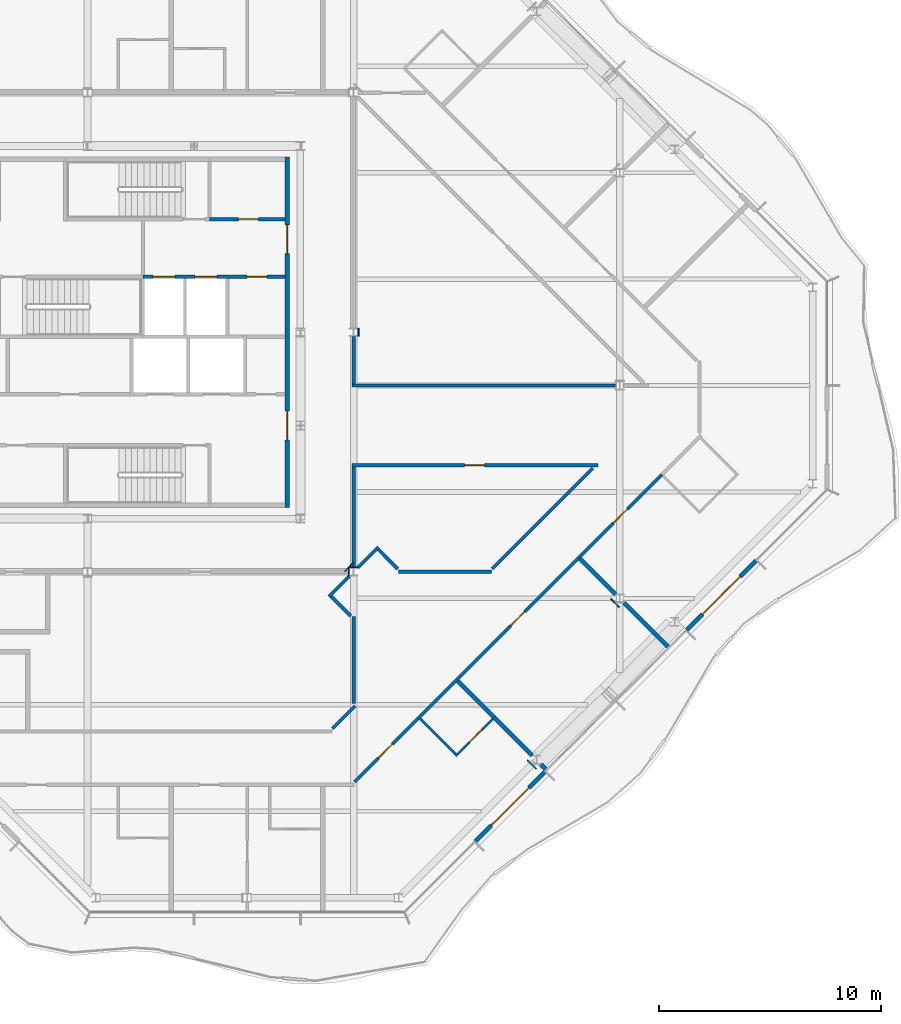
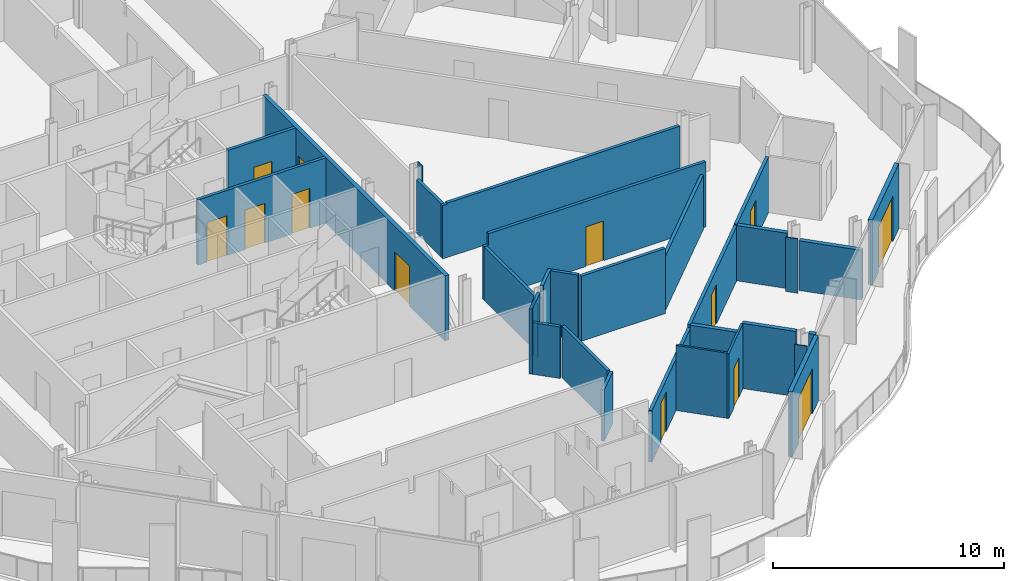
# One storey, part 9 of 17: 33 walls, 13 doors, 13 openings.
"""IFC4 building model written with IfcOpenShell, lengths in metres."""

import ifcopenshell
import ifcopenshell.guid

model = None  # the IFC model being written
_history = None  # IfcOwnerHistory: only IFC2X3 demands one
_inside = {}  # id of a spatial element -> (the spatial element, [elements in it])
_under = {}  # id of a project, library or spatial element -> (it, [spatial elements below it])
_declared = {}  # id of a project -> (the project, [libraries it declares])
_typed = {}  # id of a type object -> (the type object, [elements of that type])
_made_of = {}  # id of a material, layer set ... -> (it, [elements and type objects made of it])


def new_model(schema):
    """Start an empty IFC model of exactly this schema.

    Asked for "IFC4X3", IfcOpenShell would pick the latest addendum, in which some entities
    have other attributes; the version numbers below select the first issue.
    IFC2X3 requires an IfcOwnerHistory on every rooted entity: one is made here for all.
    """
    global model, _history
    if schema == "IFC4X3":
        model = ifcopenshell.file(schema_version=(4, 3, 0, 0))
    else:
        model = ifcopenshell.file(schema=schema)
    _inside.clear()
    _under.clear()
    _declared.clear()
    _typed.clear()
    _made_of.clear()
    _history = None
    if model.schema == "IFC2X3":
        org = make("IfcOrganization", Name="unknown")
        user = make(
            "IfcPersonAndOrganization",
            ThePerson=make("IfcPerson", FamilyName="unknown"),
            TheOrganization=org,
        )
        app = make(
            "IfcApplication",
            ApplicationDeveloper=org,
            Version="unknown",
            ApplicationFullName="unknown",
            ApplicationIdentifier="unknown",
        )
        _history = make(
            "IfcOwnerHistory",
            OwningUser=user,
            OwningApplication=app,
            ChangeAction="ADDED",
            CreationDate=0,
        )
    return model


def make(cls, **values):
    """One entity of the class cls with the attributes given. An attribute that is None is left unset."""
    return model.create_entity(
        cls, **{name: value for name, value in values.items() if value is not None}
    )


def rooted(cls, **values):
    """An entity with a GlobalId (a new one), such as an element, a storey or a relation."""
    return make(cls, GlobalId=ifcopenshell.guid.new(), OwnerHistory=_history, **values)


def si_unit(unit_type, name, prefix=None):
    """IfcSIUnit, for example si_unit("LENGTHUNIT", "METRE", prefix="MILLI")."""
    return make("IfcSIUnit", UnitType=unit_type, Prefix=prefix, Name=name)


def assignment(units):
    """IfcUnitAssignment: the units of a project."""
    return None if units is None else make("IfcUnitAssignment", Units=units)


def point(xyz):
    """IfcCartesianPoint."""
    return None if xyz is None else make("IfcCartesianPoint", Coordinates=xyz)


def direction(xyz):
    """IfcDirection."""
    return None if xyz is None else make("IfcDirection", DirectionRatios=xyz)


def frame(location, z_axis=None, x_axis=None):
    """IfcAxis2Placement3D, a coordinate frame: its origin and axes. An axis left out is left unset."""
    return make(
        "IfcAxis2Placement3D",
        Location=point(location),
        Axis=direction(z_axis),
        RefDirection=direction(x_axis),
    )


def frame_2d(location, x_axis=None):
    """IfcAxis2Placement2D, a coordinate frame in the plane: its origin and x axis."""
    return make(
        "IfcAxis2Placement2D", Location=point(location), RefDirection=direction(x_axis)
    )


def origin():
    """The frame at (0, 0, 0) with its axes left unset."""
    return frame((0.0, 0.0, 0.0))


def place(relative_to, where):
    """IfcLocalPlacement: puts the frame where relative to a parent placement (None: the world)."""
    return make(
        "IfcLocalPlacement", PlacementRelTo=relative_to, RelativePlacement=where
    )


def context(
    kind, dimensions, precision=None, world=None, true_north=None, identifier=None
):
    """IfcGeometricRepresentationContext, for example the 3D "Model" context."""
    return make(
        "IfcGeometricRepresentationContext",
        ContextIdentifier=identifier,
        ContextType=kind,
        CoordinateSpaceDimension=dimensions,
        Precision=precision,
        WorldCoordinateSystem=world,
        TrueNorth=true_north,
    )


def subcontext(parent, identifier, kind, view, scale=None):
    """IfcGeometricRepresentationSubContext, for example "Body" below "Model"."""
    return make(
        "IfcGeometricRepresentationSubContext",
        ContextIdentifier=identifier,
        ContextType=kind,
        ParentContext=parent,
        TargetScale=scale,
        TargetView=view,
    )


def project(units=None, contexts=None):
    """IfcProject with its units and contexts."""
    return rooted(
        "IfcProject",
        Name="project",
        RepresentationContexts=contexts,
        UnitsInContext=assignment(units),
    )


def spatial(cls, under=None, at=None, **own):
    """A site, building, storey or space (cls), placed at a placement, below another one or the project."""
    s = rooted(cls, ObjectPlacement=at, **own)
    if under is not None:
        _under.setdefault(under.id(), (under, []))[1].append(s)
    return s


def polyline(points):
    """IfcPolyline through the points."""
    return make("IfcPolyline", Points=[point(p) for p in points])


def profile(cls, at=None, kind="AREA", **sizes):
    """A parametric profile (cls). Its sizes go by their IFC names, for example OverallWidth=200.0."""
    return make(cls, ProfileType=kind, Position=at, **sizes)


def rectangle(**sizes):
    """IfcRectangleProfileDef."""
    return profile("IfcRectangleProfileDef", **sizes)


def outline(outer, holes=None, kind="AREA"):
    """IfcArbitraryClosedProfileDef: a profile drawn as a closed curve; with holes, ...WithVoids."""
    if holes is None:
        return make("IfcArbitraryClosedProfileDef", ProfileType=kind, OuterCurve=outer)
    return make(
        "IfcArbitraryProfileDefWithVoids",
        ProfileType=kind,
        OuterCurve=outer,
        InnerCurves=holes,
    )


def extrude(swept, where, along, depth):
    """IfcExtrudedAreaSolid: the profile swept, set in the frame where, extruded along a direction by depth."""
    return make(
        "IfcExtrudedAreaSolid",
        SweptArea=swept,
        Position=where,
        ExtrudedDirection=direction(along),
        Depth=depth,
    )


def shape(context_of_items, identifier, shape_type, items):
    """IfcShapeRepresentation: the items that make up one representation, for example the "Body"."""
    return make(
        "IfcShapeRepresentation",
        ContextOfItems=context_of_items,
        RepresentationIdentifier=identifier,
        RepresentationType=shape_type,
        Items=items,
    )


def material(Name=None, Category=None):
    """IfcMaterial."""
    return make("IfcMaterial", Name=Name, Category=Category)


def layer(
    of_material, thickness, ventilated=None, Name=None, Category=None, Priority=None
):
    """IfcMaterialLayer: one layer of a wall or slab, of a material (None: an air gap)."""
    return make(
        "IfcMaterialLayer",
        Material=of_material,
        LayerThickness=thickness,
        IsVentilated=ventilated,
        Name=Name,
        Category=Category,
        Priority=Priority,
    )


def layer_set(layers, Name=None):
    """IfcMaterialLayerSet."""
    return make("IfcMaterialLayerSet", MaterialLayers=layers, LayerSetName=Name)


def made_of(thing, what):
    """Note that an element or type object is made of a material, layer set ...; save() writes the relation."""
    if what is not None:
        _made_of.setdefault(what.id(), (what, []))[1].append(thing)
    return thing


def type_object(cls, material=None, **own):
    """A type object (cls), such as IfcWallType, which elements share."""
    return made_of(rooted(cls, **own), material)


def element(
    cls,
    number,
    at=None,
    inside=None,
    cuts=None,
    type_object=None,
    material=None,
    context=None,
    identifier="Body",
    shape_type=None,
    held_by="IfcProductDefinitionShape",
    body=None,
    shapes=None,
    **own,
):
    """One element of the class cls, such as IfcWall. Its Tag is "e" and its number.

    at: its placement. inside: the storey or other place that contains it. cuts: it is an
    opening in that element (IfcRelVoidsElement). A single representation is given by context,
    identifier, shape_type and body (its items); several are given by shapes. held_by: the class
    of the entity that holds the representations. save() writes the other relations.
    """
    e = rooted(cls, Tag="e%d" % number, ObjectPlacement=at, **own)
    if body is not None:
        shapes = [shape(context, identifier, shape_type, body)]
    if shapes is not None:
        e.Representation = make(held_by, Representations=shapes)
    if inside is not None:
        _inside.setdefault(inside.id(), (inside, []))[1].append(e)
    if cuts is not None:
        rooted(
            "IfcRelVoidsElement", RelatingBuildingElement=cuts, RelatedOpeningElement=e
        )
    if type_object is not None:
        _typed.setdefault(type_object.id(), (type_object, []))[1].append(e)
    return made_of(e, material)


def fill(opening, filler):
    """IfcRelFillsElement: the door or window that sits in an opening."""
    return rooted(
        "IfcRelFillsElement",
        RelatingOpeningElement=opening,
        RelatedBuildingElement=filler,
    )


def aggregate(whole, parts):
    """IfcRelAggregates: a whole, such as a stair, and the parts it consists of."""
    return rooted("IfcRelAggregates", RelatingObject=whole, RelatedObjects=parts)


def save(model, path):
    """Write the relations noted so far, then the file.

    IfcRelAggregates (storeys below a building ...), IfcRelContainedInSpatialStructure (elements
    in a storey), IfcRelDefinesByType, IfcRelAssociatesMaterial and IfcRelDeclares: one each for
    every whole, place, type object, material and project.
    """
    for whole, parts in _under.values():
        aggregate(whole, parts)
    for where, things in _inside.values():
        rooted(
            "IfcRelContainedInSpatialStructure",
            RelatedElements=things,
            RelatingStructure=where,
        )
    for kind, things in _typed.values():
        rooted("IfcRelDefinesByType", RelatedObjects=things, RelatingType=kind)
    for what, things in _made_of.values():
        rooted("IfcRelAssociatesMaterial", RelatedObjects=things, RelatingMaterial=what)
    for by, libraries in _declared.values():
        rooted("IfcRelDeclares", RelatingContext=by, RelatedDefinitions=libraries)
    model.write(path)


model = new_model("IFC4")

# Units and contexts
model_context = context("Model", 3, precision=1e-05, world=origin(), true_north=direction((0.0, 1.0)))
body_context = subcontext(model_context, "Body", "Model", "MODEL_VIEW")
ifc_project = project(units=[si_unit("LENGTHUNIT", "METRE"), si_unit("AREAUNIT", "SQUARE_METRE"), si_unit("VOLUMEUNIT", "CUBIC_METRE"), si_unit("PLANEANGLEUNIT", "RADIAN"), si_unit("MASSUNIT", "GRAM", prefix="KILO")], contexts=[model_context])

# Site, building, storey
site_placement = place(None, origin())
site = spatial("IfcSite", under=ifc_project, at=site_placement, CompositionType="ELEMENT")
building_placement = place(site_placement, origin())
building = spatial("IfcBuilding", under=site, at=building_placement, Name="Cairn Pilgrim Tower", CompositionType="ELEMENT")
storey_placement = place(building_placement, frame((0.0, 0.0, 270.60009765625)))
storey = spatial("IfcBuildingStorey", under=building, at=storey_placement, Name="L69", CompositionType="ELEMENT", Elevation=270.60009765625)

# Wall, opening, door
ifc_material_1 = material(Name="Bronze anodised aluminium insulated sandwich panel with mineral wool fill", Category="aluminium")
ifc_layer_1 = layer(ifc_material_1, 0.199951171875)
ifc_layer_set_1 = layer_set([ifc_layer_1], Name="BRONZE INFILL FRAME WALL 200")
wall_type_1 = type_object("IfcWallType", Name="BRONZE INFILL FRAME WALL 200", PredefinedType="NOTDEFINED", material=ifc_layer_set_1)
wall_1_placement = place(storey_placement, frame((24.693359375, -20.55322265625, 0.0), z_axis=(0.0, 0.0, 1.0), x_axis=(0.707079231393, 0.707134329907, 0.0)))
wall_1 = element("IfcWall", 1, at=wall_1_placement, inside=storey, type_object=wall_type_1, Name="Bronze infill frame wall IW-SE2", PredefinedType="NOTDEFINED", context=body_context, shape_type="SweptSolid", body=[
    extrude(rectangle(XDim=4.430908203125, YDim=0.199951171875, at=frame_2d((2.21533203125, 0.0))), origin(), (0.0, 0.0, 1.0), 3.449951171875),
])
opening_1_placement = place(wall_1_placement, frame((1.015380859375, 0.0, 0.0)))
opening_1 = element("IfcOpeningElement", 2, at=opening_1_placement, cuts=wall_1, Name="Opening 6901B", PredefinedType="OPENING", context=body_context, shape_type="SweptSolid", body=[
    extrude(rectangle(XDim=2.39990234375, YDim=2.39990234375, at=frame_2d((1.199951171875, 1.199951171875))), frame((0.0, 0.10986328125, 0.0), z_axis=(0.0, -1.0, 0.0), x_axis=(1.0, 0.0, 0.0)), (0.0, 0.0, 1.0), 0.219970703125),
])
ifc_material_2 = material(Name="Bronze anodised aluminium frame with tinted low-E glass", Category="aluminium")
door_type_1 = type_object("IfcDoorType", Name="BALCONY SLIDING DOOR 2400x2400", OperationType="DOUBLE_DOOR_SLIDING", PredefinedType="DOOR", material=ifc_material_2)
door_1_placement = place(opening_1_placement, origin())
door_1 = element("IfcDoor", 3, at=door_1_placement, inside=storey, type_object=door_type_1, Name="Balcony sliding door 6901B", OperationType="SINGLE_SWING_LEFT", OverallHeight=2.39990234375, OverallWidth=2.39990234375, PredefinedType="DOOR", context=body_context, shape_type="SweptSolid", body=[
    extrude(rectangle(XDim=2.39990234375, YDim=2.39990234375, at=frame_2d((1.199951171875, 1.199951171875))), frame((0.0, 0.02490234375, 0.0), z_axis=(0.0, -1.0, 0.0), x_axis=(1.0, 0.0, 0.0)), (0.0, 0.0, 1.0), 0.050048828125),
])
fill(opening_1, door_1)

wall_2_placement = place(storey_placement, frame((34.219970703125, -11.0263671875, 0.0), z_axis=(0.0, 0.0, 1.0), x_axis=(0.707134329907, 0.707079231393, 0.0)))
wall_2 = element("IfcWall", 4, at=wall_2_placement, inside=storey, type_object=wall_type_1, Name="Bronze infill frame wall IW-SE5", PredefinedType="NOTDEFINED", context=body_context, shape_type="SweptSolid", body=[
    extrude(rectangle(XDim=4.430908203125, YDim=0.199951171875, at=frame_2d((2.21533203125, 0.0))), origin(), (0.0, 0.0, 1.0), 3.449951171875),
])
opening_2_placement = place(wall_2_placement, frame((1.01513671875, 0.0, 0.0)))
opening_2 = element("IfcOpeningElement", 5, at=opening_2_placement, cuts=wall_2, Name="Opening 6903B", PredefinedType="OPENING", context=body_context, shape_type="SweptSolid", body=[
    extrude(rectangle(XDim=2.39990234375, YDim=2.39990234375, at=frame_2d((1.199951171875, 1.199951171875))), frame((0.0, 0.10986328125, 0.0), z_axis=(0.0, -1.0, 0.0), x_axis=(1.0, 0.0, 0.0)), (0.0, 0.0, 1.0), 0.219970703125),
])
door_2_placement = place(opening_2_placement, origin())
door_2 = element("IfcDoor", 6, at=door_2_placement, inside=storey, type_object=door_type_1, Name="Balcony sliding door 6903B", OperationType="SINGLE_SWING_LEFT", OverallHeight=2.39990234375, OverallWidth=2.39990234375, PredefinedType="DOOR", context=body_context, shape_type="SweptSolid", body=[
    extrude(rectangle(XDim=2.39990234375, YDim=2.39990234375, at=frame_2d((1.199951171875, 1.199951171875))), frame((0.0, 0.02490234375, 0.0), z_axis=(0.0, -1.0, 0.0), x_axis=(1.0, 0.0, 0.0)), (0.0, 0.0, 1.0), 0.050048828125),
])
fill(opening_2, door_2)

# Wall, openings, doors
ifc_material_3 = material(Name="Concrete C32/40", Category="concrete")
ifc_layer_2 = layer(ifc_material_3, 0.199951171875)
ifc_layer_set_2 = layer_set([ifc_layer_2], Name="CORE OUTER WALL 200 EI 120")
wall_type_2 = type_object("IfcWallType", Name="CORE OUTER WALL 200 EI 120", PredefinedType="SOLIDWALL", material=ifc_layer_set_2)
wall_3_placement = place(storey_placement, frame((16.199951171875, -5.5, 0.0), z_axis=(0.0, 0.0, 1.0), x_axis=(0.0, 1.0, 0.0)))
wall_3 = element("IfcWall", 7, at=wall_3_placement, inside=storey, type_object=wall_type_2, Name="CW:L69:V31", PredefinedType="SOLIDWALL", context=body_context, shape_type="SweptSolid", body=[
    extrude(rectangle(XDim=15.800048828125, YDim=0.199951171875, at=frame_2d((7.89990234375, 0.0))), origin(), (0.0, 0.0, 1.0), 3.449951171875),
])
opening_3_placement = place(wall_3_placement, frame((3.050048828125, 0.0, 0.0)))
opening_3 = element("IfcOpeningElement", 8, at=opening_3_placement, cuts=wall_3, Name="Opening CD-E1", PredefinedType="OPENING", context=body_context, shape_type="SweptSolid", body=[
    extrude(rectangle(XDim=1.300048828125, YDim=2.10009765625, at=frame_2d((0.64990234375, 1.050048828125))), frame((0.0, 0.10986328125, 0.0), z_axis=(0.0, -1.0, 0.0), x_axis=(1.0, 0.0, 0.0)), (0.0, 0.0, 1.0), 0.219970703125),
])
opening_4_placement = place(wall_3_placement, frame((11.449951171875, 0.0, 0.0)))
opening_4 = element("IfcOpeningElement", 9, at=opening_4_placement, cuts=wall_3, Name="Opening CD-E2", PredefinedType="OPENING", context=body_context, shape_type="SweptSolid", body=[
    extrude(rectangle(XDim=1.300048828125, YDim=2.10009765625, at=frame_2d((0.64990234375, 1.050048828125))), frame((0.0, 0.10986328125, 0.0), z_axis=(0.0, -1.0, 0.0), x_axis=(1.0, 0.0, 0.0)), (0.0, 0.0, 1.0), 0.219970703125),
])
ifc_material_4 = material(Name="Painted steel", Category="steel")
door_type_2 = type_object("IfcDoorType", Name="CORE LOBBY DOOR 1300x2100", OperationType="DOUBLE_DOOR_SINGLE_SWING", PredefinedType="DOOR", material=ifc_material_4)
door_3_placement = place(opening_3_placement, origin())
door_3 = element("IfcDoor", 10, at=door_3_placement, inside=storey, type_object=door_type_2, Name="CD-E1", OperationType="DOUBLE_DOOR_SINGLE_SWING", OverallHeight=2.10009765625, OverallWidth=1.300048828125, PredefinedType="DOOR", context=body_context, shape_type="SweptSolid", body=[
    extrude(rectangle(XDim=1.300048828125, YDim=2.10009765625, at=frame_2d((0.64990234375, 1.050048828125))), frame((0.0, 0.02490234375, 0.0), z_axis=(0.0, -1.0, 0.0), x_axis=(1.0, 0.0, 0.0)), (0.0, 0.0, 1.0), 0.050048828125),
])
fill(opening_3, door_3)
door_4_placement = place(opening_4_placement, origin())
door_4 = element("IfcDoor", 11, at=door_4_placement, inside=storey, type_object=door_type_2, Name="CD-E2", OperationType="DOUBLE_DOOR_SINGLE_SWING", OverallHeight=2.10009765625, OverallWidth=1.300048828125, PredefinedType="DOOR", context=body_context, shape_type="SweptSolid", body=[
    extrude(rectangle(XDim=1.300048828125, YDim=2.10009765625, at=frame_2d((0.64990234375, 1.050048828125))), frame((0.0, 0.02490234375, 0.0), z_axis=(0.0, -1.0, 0.0), x_axis=(1.0, 0.0, 0.0)), (0.0, 0.0, 1.0), 0.050048828125),
])
fill(opening_4, door_4)

ifc_layer_3 = layer(ifc_material_3, 0.14990234375)
ifc_layer_set_3 = layer_set([ifc_layer_3], Name="CORE SHAFT WALL 150 EI 120")
wall_type_3 = type_object("IfcWallType", Name="CORE SHAFT WALL 150 EI 120", PredefinedType="SOLIDWALL", material=ifc_layer_set_3)
wall_4_placement = place(storey_placement, frame((9.699951171875, 4.89990234375, 0.0), z_axis=(0.0, 0.0, 1.0), x_axis=(1.0, 0.0, 0.0)))
wall_4 = element("IfcWall", 12, at=wall_4_placement, inside=storey, type_object=wall_type_3, Name="CW:L69:H09-3", PredefinedType="SOLIDWALL", context=body_context, shape_type="SweptSolid", body=[
    extrude(rectangle(XDim=6.400146484375, YDim=0.14990234375, at=frame_2d((3.2001953125, 0.0))), origin(), (0.0, 0.0, 1.0), 3.449951171875),
])
opening_5_placement = place(wall_4_placement, frame((0.449951171875, 0.0, 0.0)))
opening_5 = element("IfcOpeningElement", 13, at=opening_5_placement, cuts=wall_4, Name="Opening LD-FF1", PredefinedType="OPENING", context=body_context, shape_type="SweptSolid", body=[
    extrude(rectangle(XDim=1.0, YDim=2.10009765625, at=frame_2d((0.5, 1.050048828125))), frame((0.0, 0.0849609375, 0.0), z_axis=(0.0, -1.0, 0.0), x_axis=(1.0, 0.0, 0.0)), (0.0, 0.0, 1.0), 0.169921875),
])
opening_6_placement = place(wall_4_placement, frame((2.35009765625, 0.0, 0.0)))
opening_6 = element("IfcOpeningElement", 14, at=opening_6_placement, cuts=wall_4, Name="Opening LD-FF2", PredefinedType="OPENING", context=body_context, shape_type="SweptSolid", body=[
    extrude(rectangle(XDim=1.0, YDim=2.10009765625, at=frame_2d((0.5, 1.050048828125))), frame((0.0, 0.0849609375, 0.0), z_axis=(0.0, -1.0, 0.0), x_axis=(1.0, 0.0, 0.0)), (0.0, 0.0, 1.0), 0.169921875),
])
opening_7_placement = place(wall_4_placement, frame((4.699951171875, 0.0, 0.0)))
opening_7 = element("IfcOpeningElement", 15, at=opening_7_placement, cuts=wall_4, Name="Opening RD-R3E", PredefinedType="OPENING", context=body_context, shape_type="SweptSolid", body=[
    extrude(rectangle(XDim=0.89990234375, YDim=2.10009765625, at=frame_2d((0.449951171875, 1.050048828125))), frame((0.0, 0.0849609375, 0.0), z_axis=(0.0, -1.0, 0.0), x_axis=(1.0, 0.0, 0.0)), (0.0, 0.0, 1.0), 0.169921875),
])
ifc_material_5 = material(Name="Stainless steel", Category="steel")
door_type_3 = type_object("IfcDoorType", Name="LIFT LANDING DOOR FIRE 1000x2100", OperationType="DOUBLE_DOOR_SLIDING", PredefinedType="DOOR", material=ifc_material_5)
door_5_placement = place(opening_5_placement, origin())
door_5 = element("IfcDoor", 16, at=door_5_placement, inside=storey, type_object=door_type_3, Name="LANDING DOOR FF1", OperationType="DOUBLE_DOOR_SLIDING", OverallHeight=2.10009765625, OverallWidth=1.0, PredefinedType="DOOR", context=body_context, shape_type="SweptSolid", body=[
    extrude(rectangle(XDim=1.0, YDim=2.10009765625, at=frame_2d((0.5, 1.050048828125))), frame((0.0, 0.02490234375, 0.0), z_axis=(0.0, -1.0, 0.0), x_axis=(1.0, 0.0, 0.0)), (0.0, 0.0, 1.0), 0.050048828125),
])
fill(opening_5, door_5)
door_6_placement = place(opening_6_placement, origin())
door_6 = element("IfcDoor", 17, at=door_6_placement, inside=storey, type_object=door_type_3, Name="LANDING DOOR FF2", OperationType="DOUBLE_DOOR_SLIDING", OverallHeight=2.10009765625, OverallWidth=1.0, PredefinedType="DOOR", context=body_context, shape_type="SweptSolid", body=[
    extrude(rectangle(XDim=1.0, YDim=2.10009765625, at=frame_2d((0.5, 1.050048828125))), frame((0.0, 0.02490234375, 0.0), z_axis=(0.0, -1.0, 0.0), x_axis=(1.0, 0.0, 0.0)), (0.0, 0.0, 1.0), 0.050048828125),
])
fill(opening_6, door_6)
door_type_4 = type_object("IfcDoorType", Name="SERVICE ROOM DOOR 900x2100", OperationType="SINGLE_SWING_LEFT", PredefinedType="DOOR", material=ifc_material_4)
door_7_placement = place(opening_7_placement, origin())
door_7 = element("IfcDoor", 18, at=door_7_placement, inside=storey, type_object=door_type_4, Name="RD-R3E", OperationType="SINGLE_SWING_LEFT", OverallHeight=2.10009765625, OverallWidth=0.89990234375, PredefinedType="DOOR", context=body_context, shape_type="SweptSolid", body=[
    extrude(rectangle(XDim=0.89990234375, YDim=2.10009765625, at=frame_2d((0.449951171875, 1.050048828125))), frame((0.0, 0.02490234375, 0.0), z_axis=(0.0, -1.0, 0.0), x_axis=(1.0, 0.0, 0.0)), (0.0, 0.0, 1.0), 0.050048828125),
])
fill(opening_7, door_7)

# Wall, opening, door
wall_5_placement = place(storey_placement, frame((12.699951171875, 7.5, 0.0), z_axis=(0.0, 0.0, 1.0), x_axis=(1.0, 0.0, 0.0)))
wall_5 = element("IfcWall", 19, at=wall_5_placement, inside=storey, type_object=wall_type_3, Name="CW:L69:H11-2", PredefinedType="SOLIDWALL", context=body_context, shape_type="SweptSolid", body=[
    extrude(rectangle(XDim=3.400146484375, YDim=0.14990234375, at=frame_2d((1.7001953125, 0.0))), origin(), (0.0, 0.0, 1.0), 3.449951171875),
])
opening_8_placement = place(wall_5_placement, frame((1.300048828125, 0.0, 0.0)))
opening_8 = element("IfcOpeningElement", 20, at=opening_8_placement, cuts=wall_5, Name="Opening RD-R4E", PredefinedType="OPENING", context=body_context, shape_type="SweptSolid", body=[
    extrude(rectangle(XDim=0.89990234375, YDim=2.10009765625, at=frame_2d((0.449951171875, 1.050048828125))), frame((0.0, 0.0849609375, 0.0), z_axis=(0.0, -1.0, 0.0), x_axis=(1.0, 0.0, 0.0)), (0.0, 0.0, 1.0), 0.169921875),
])
door_8_placement = place(opening_8_placement, origin())
door_8 = element("IfcDoor", 21, at=door_8_placement, inside=storey, type_object=door_type_4, Name="RD-R4E", OperationType="SINGLE_SWING_RIGHT", OverallHeight=2.10009765625, OverallWidth=0.89990234375, PredefinedType="DOOR", context=body_context, shape_type="SweptSolid", body=[
    extrude(rectangle(XDim=0.89990234375, YDim=2.10009765625, at=frame_2d((0.449951171875, 1.050048828125))), frame((0.0, 0.02490234375, 0.0), z_axis=(0.0, -1.0, 0.0), x_axis=(1.0, 0.0, 0.0)), (0.0, 0.0, 1.0), 0.050048828125),
])
fill(opening_8, door_8)

ifc_material_6 = material(Name="Gypsum partition")
ifc_layer_4 = layer(ifc_material_6, 0.10009765625)
ifc_layer_set_4 = layer_set([ifc_layer_4], Name="PARTITION 100 DRYWALL")
wall_type_4 = type_object("IfcWallType", Name="PARTITION 100 DRYWALL", PredefinedType="PARTITIONING", material=ifc_layer_set_4)
wall_6_placement = place(storey_placement, frame((23.8095703125, -16.699462890625, 0.0), z_axis=(0.0, 0.0, 1.0), x_axis=(0.707054835785, 0.707158722772, 0.0)))
wall_6 = element("IfcWall", 22, at=wall_6_placement, inside=storey, type_object=wall_type_4, Name="PARTITION W012", PredefinedType="PARTITIONING", context=body_context, shape_type="SweptSolid", body=[
    extrude(rectangle(XDim=2.35009765625, YDim=0.10009765625, at=frame_2d((1.175048828125, 0.0))), origin(), (0.0, 0.0, 1.0), 3.449951171875),
])
opening_9_placement = place(wall_6_placement, frame((0.85009765625, 0.0, 0.0)))
opening_9 = element("IfcOpeningElement", 23, at=opening_9_placement, cuts=wall_6, Name="Opening 6901A", PredefinedType="OPENING", context=body_context, shape_type="SweptSolid", body=[
    extrude(rectangle(XDim=0.800048828125, YDim=2.10009765625, at=frame_2d((0.39990234375, 1.050048828125))), frame((0.0, 0.06005859375, 0.0), z_axis=(0.0, -1.0, 0.0), x_axis=(1.0, 0.0, 0.0)), (0.0, 0.0, 1.0), 0.1201171875),
])
ifc_material_7 = material(Name="Timber door leaf", Category="wood")
door_type_5 = type_object("IfcDoorType", Name="WC DOOR 800x2100", OperationType="NOTDEFINED", PredefinedType="DOOR", material=ifc_material_7)
door_9_placement = place(opening_9_placement, frame((0.800048828125, 0.0, 0.0), z_axis=(0.0, 0.0, 1.0), x_axis=(-1.0, 0.0, 0.0)))
door_9 = element("IfcDoor", 24, at=door_9_placement, inside=storey, type_object=door_type_5, Name="DOOR 6901A", OperationType="SINGLE_SWING_RIGHT", OverallHeight=2.10009765625, OverallWidth=0.800048828125, PredefinedType="DOOR", context=body_context, shape_type="SweptSolid", body=[
    extrude(rectangle(XDim=0.800048828125, YDim=2.10009765625, at=frame_2d((0.39990234375, 1.050048828125))), frame((0.0, 0.02490234375, 0.0), z_axis=(0.0, -1.0, 0.0), x_axis=(1.0, 0.0, 0.0)), (0.0, 0.0, 1.0), 0.050048828125),
])
fill(opening_9, door_9)

# Wall
wall_7_placement = place(storey_placement, frame((23.8095703125, -16.628662109375, 0.0), z_axis=(0.0, 0.0, 1.0), x_axis=(-0.707106781187, 0.707106781187, 0.0)))
element("IfcWall", 25, at=wall_7_placement, inside=storey, type_object=wall_type_4, Name="PARTITION W014", PredefinedType="PARTITIONING", context=body_context, shape_type="SweptSolid", body=[
    extrude(rectangle(XDim=2.27490234375, YDim=0.10009765625, at=frame_2d((1.137451171875, 0.0))), origin(), (0.0, 0.0, 1.0), 3.449951171875),
])

# Wall, opening, door
ifc_layer_5 = layer(ifc_material_6, 0.14990234375)
ifc_layer_set_5 = layer_set([ifc_layer_5], Name="PARTITION 150 DRYWALL EI 60")
wall_type_5 = type_object("IfcWallType", Name="PARTITION 150 DRYWALL EI 60", PredefinedType="PARTITIONING", material=ifc_layer_set_5)
wall_8_placement = place(storey_placement, frame((19.242919921875, -17.8720703125, 0.0), z_axis=(0.0, 0.0, 1.0), x_axis=(0.707106781187, 0.707106781187, 0.0)))
wall_8 = element("IfcWall", 26, at=wall_8_placement, inside=storey, type_object=wall_type_5, Name="PARTITION W010", PredefinedType="PARTITIONING", context=body_context, shape_type="SweptSolid", body=[
    extrude(rectangle(XDim=6.50830078125, YDim=0.14990234375, at=frame_2d((3.254150390625, 0.0))), origin(), (0.0, 0.0, 1.0), 2.72998046875),
])
opening_10_placement = place(wall_8_placement, frame((1.51318359375, 0.0, 0.0)))
opening_10 = element("IfcOpeningElement", 27, at=opening_10_placement, cuts=wall_8, Name="Opening 6901", PredefinedType="OPENING", context=body_context, shape_type="SweptSolid", body=[
    extrude(rectangle(XDim=0.89990234375, YDim=2.10009765625, at=frame_2d((0.449951171875, 1.050048828125))), frame((0.0, 0.0849609375, 0.0), z_axis=(0.0, -1.0, 0.0), x_axis=(1.0, 0.0, 0.0)), (0.0, 0.0, 1.0), 0.169921875),
])
door_type_6 = type_object("IfcDoorType", Name="ROOM DOOR 900x2100 FD30S", OperationType="NOTDEFINED", PredefinedType="DOOR", material=ifc_material_7)
door_10_placement = place(opening_10_placement, frame((0.89990234375, 0.0, 0.0), z_axis=(0.0, 0.0, 1.0), x_axis=(-1.0, 0.0, 0.0)))
door_10 = element("IfcDoor", 28, at=door_10_placement, inside=storey, type_object=door_type_6, Name="DOOR 6901", OperationType="SINGLE_SWING_RIGHT", OverallHeight=2.10009765625, OverallWidth=0.89990234375, PredefinedType="DOOR", context=body_context, shape_type="SweptSolid", body=[
    extrude(rectangle(XDim=0.89990234375, YDim=2.10009765625, at=frame_2d((0.449951171875, 1.050048828125))), frame((0.0, 0.02490234375, 0.0), z_axis=(0.0, -1.0, 0.0), x_axis=(1.0, 0.0, 0.0)), (0.0, 0.0, 1.0), 0.050048828125),
])
fill(opening_10, door_10)

# Walls
wall_9_placement = place(storey_placement, frame((18.2490234375, -15.471923828125, 0.0), z_axis=(0.0, 0.0, 1.0), x_axis=(0.707106781187, 0.707106781187, 0.0)))
element("IfcWall", 29, at=wall_9_placement, inside=storey, type_object=wall_type_5, Name="PARTITION W018", PredefinedType="PARTITIONING", context=body_context, shape_type="SweptSolid", body=[
    extrude(rectangle(XDim=1.450927734375, YDim=0.14990234375, at=frame_2d((0.7255859375, 0.0))), origin(), (0.0, 0.0, 1.0), 2.72998046875),
])
wall_10_placement = place(storey_placement, frame((19.199951171875, -14.33984375, 0.0), z_axis=(0.0, 0.0, 1.0), x_axis=(0.0, 1.0, 0.0)))
element("IfcWall", 30, at=wall_10_placement, inside=storey, type_object=wall_type_5, Name="PARTITION W020", PredefinedType="PARTITIONING", context=body_context, shape_type="SweptSolid", body=[
    extrude(rectangle(XDim=3.9248046875, YDim=0.14990234375, at=frame_2d((1.96240234375, 0.0))), origin(), (0.0, 0.0, 1.0), 2.72998046875),
])

# Wall, opening, door
wall_11_placement = place(storey_placement, frame((23.844970703125, -13.27001953125, 0.0), z_axis=(0.0, 0.0, 1.0), x_axis=(0.707044144392, 0.707169412433, 0.0)))
wall_11 = element("IfcWall", 31, at=wall_11_placement, inside=storey, type_object=wall_type_5, Name="PARTITION W023", PredefinedType="PARTITIONING", context=body_context, shape_type="SweptSolid", body=[
    extrude(rectangle(XDim=7.7958984375, YDim=0.14990234375, at=frame_2d((3.89794921875, 0.0))), origin(), (0.0, 0.0, 1.0), 2.8798828125),
])
opening_11_placement = place(wall_11_placement, frame((3.44775390625, 0.0, 0.0)))
opening_11 = element("IfcOpeningElement", 32, at=opening_11_placement, cuts=wall_11, Name="Opening 6902", PredefinedType="OPENING", context=body_context, shape_type="SweptSolid", body=[
    extrude(rectangle(XDim=0.89990234375, YDim=2.10009765625, at=frame_2d((0.449951171875, 1.050048828125))), frame((0.0, 0.0849609375, 0.0), z_axis=(0.0, -1.0, 0.0), x_axis=(1.0, 0.0, 0.0)), (0.0, 0.0, 1.0), 0.169921875),
])
door_type_7 = type_object("IfcDoorType", Name="SERVICE DOOR 900x2100 FD30S", OperationType="NOTDEFINED", PredefinedType="DOOR", material=ifc_material_7)
door_11_placement = place(opening_11_placement, frame((0.89990234375, 0.0, 0.0), z_axis=(0.0, 0.0, 1.0), x_axis=(-1.0, 0.0, 0.0)))
door_11 = element("IfcDoor", 33, at=door_11_placement, inside=storey, type_object=door_type_7, Name="DOOR 6902", OperationType="SINGLE_SWING_RIGHT", OverallHeight=2.10009765625, OverallWidth=0.89990234375, PredefinedType="DOOR", context=body_context, shape_type="SweptSolid", body=[
    extrude(rectangle(XDim=0.89990234375, YDim=2.10009765625, at=frame_2d((0.449951171875, 1.050048828125))), frame((0.0, 0.02490234375, 0.0), z_axis=(0.0, -1.0, 0.0), x_axis=(1.0, 0.0, 0.0)), (0.0, 0.0, 1.0), 0.050048828125),
])
fill(opening_11, door_11)

# Walls
wall_12_placement = place(storey_placement, frame((19.072021484375, -10.39306640625, 0.0), z_axis=(0.0, 0.0, 1.0), x_axis=(-0.70740114323, 0.706812296552, 0.0)))
element("IfcWall", 34, at=wall_12_placement, inside=storey, type_object=wall_type_5, Name="PARTITION W030", PredefinedType="PARTITIONING", context=body_context, shape_type="SweptSolid", body=[
    extrude(rectangle(XDim=1.243896484375, YDim=0.14990234375, at=frame_2d((0.6220703125, 0.0))), origin(), (0.0, 0.0, 1.0), 2.72998046875),
])
wall_13_placement = place(storey_placement, frame((18.0859375, -9.513916015625, 0.0), z_axis=(0.0, 0.0, 1.0), x_axis=(0.707200419109, 0.707013130862, 0.0)))
element("IfcWall", 35, at=wall_13_placement, inside=storey, type_object=wall_type_5, Name="PARTITION W031", PredefinedType="PARTITIONING", context=body_context, shape_type="SweptSolid", body=[
    extrude(rectangle(XDim=1.303466796875, YDim=0.14990234375, at=frame_2d((0.65185546875, 0.0))), origin(), (0.0, 0.0, 1.0), 3.449951171875),
])
wall_14_placement = place(storey_placement, frame((21.215087890625, -8.39990234375, 0.0), z_axis=(0.0, 0.0, 1.0), x_axis=(1.0, 0.0, 0.0)))
element("IfcWall", 36, at=wall_14_placement, inside=storey, type_object=wall_type_5, Name="PARTITION W036", PredefinedType="PARTITIONING", context=body_context, shape_type="SweptSolid", body=[
    extrude(rectangle(XDim=4.2119140625, YDim=0.14990234375, at=frame_2d((2.10595703125, 0.0))), origin(), (0.0, 0.0, 1.0), 3.449951171875),
])
wall_15_placement = place(storey_placement, frame((21.193115234375, -8.27197265625, 0.0), z_axis=(0.0, 0.0, 1.0), x_axis=(-0.706812296552, 0.70740114323, 0.0)))
element("IfcWall", 37, at=wall_15_placement, inside=storey, type_object=wall_type_5, Name="PARTITION W037", PredefinedType="PARTITIONING", context=body_context, shape_type="SweptSolid", body=[
    extrude(rectangle(XDim=1.243896484375, YDim=0.14990234375, at=frame_2d((0.6220703125, 0.0))), origin(), (0.0, 0.0, 1.0), 3.449951171875),
])
wall_16_placement = place(storey_placement, frame((25.448974609375, -8.27197265625, 0.0), z_axis=(0.0, 0.0, 1.0), x_axis=(0.707106781187, 0.707106781187, 0.0)))
element("IfcWall", 38, at=wall_16_placement, inside=storey, type_object=wall_type_5, Name="PARTITION W038", PredefinedType="PARTITIONING", context=body_context, shape_type="SweptSolid", body=[
    extrude(rectangle(XDim=6.426025390625, YDim=0.14990234375, at=frame_2d((3.212890625, 0.0))), origin(), (0.0, 0.0, 1.0), 2.8798828125),
])
wall_17_placement = place(storey_placement, frame((19.199951171875, -8.21240234375, 0.0), z_axis=(0.0, 0.0, 1.0), x_axis=(0.0, 1.0, 0.0)))
element("IfcWall", 39, at=wall_17_placement, inside=storey, type_object=wall_type_5, Name="PARTITION W040", PredefinedType="PARTITIONING", context=body_context, shape_type="SweptSolid", body=[
    extrude(rectangle(XDim=4.537353515625, YDim=0.14990234375, at=frame_2d((2.2685546875, 0.0))), origin(), (0.0, 0.0, 1.0), 2.829833984375),
])
wall_18_placement = place(storey_placement, frame((19.392333984375, -8.207763671875, 0.0), z_axis=(0.0, 0.0, 1.0), x_axis=(0.707106781187, 0.707106781187, 0.0)))
element("IfcWall", 40, at=wall_18_placement, inside=storey, type_object=wall_type_5, Name="PARTITION W041", PredefinedType="PARTITIONING", context=body_context, shape_type="SweptSolid", body=[
    extrude(rectangle(XDim=1.3037109375, YDim=0.14990234375, at=frame_2d((0.65185546875, 0.0))), origin(), (0.0, 0.0, 1.0), 3.449951171875),
])

# Wall, opening, door
wall_19_placement = place(storey_placement, frame((29.35693359375, -7.757080078125, 0.0), z_axis=(0.0, 0.0, 1.0), x_axis=(0.707198954395, 0.707014595961, 0.0)))
wall_19 = element("IfcWall", 41, at=wall_19_placement, inside=storey, type_object=wall_type_5, Name="PARTITION W042", PredefinedType="PARTITIONING", context=body_context, shape_type="SweptSolid", body=[
    extrude(rectangle(XDim=5.297119140625, YDim=0.14990234375, at=frame_2d((2.6484375, 0.0))), origin(), (0.0, 0.0, 1.0), 2.929931640625),
])
opening_12_placement = place(wall_19_placement, frame((2.197998046875, 0.0, 0.0)))
opening_12 = element("IfcOpeningElement", 42, at=opening_12_placement, cuts=wall_19, Name="Opening 6903", PredefinedType="OPENING", context=body_context, shape_type="SweptSolid", body=[
    extrude(rectangle(XDim=0.89990234375, YDim=2.10009765625, at=frame_2d((0.449951171875, 1.050048828125))), frame((0.0, 0.0849609375, 0.0), z_axis=(0.0, -1.0, 0.0), x_axis=(1.0, 0.0, 0.0)), (0.0, 0.0, 1.0), 0.169921875),
])
door_12_placement = place(opening_12_placement, frame((0.89990234375, 0.0, 0.0), z_axis=(0.0, 0.0, 1.0), x_axis=(-1.0, 0.0, 0.0)))
door_12 = element("IfcDoor", 43, at=door_12_placement, inside=storey, type_object=door_type_6, Name="DOOR 6903", OperationType="SINGLE_SWING_RIGHT", OverallHeight=2.10009765625, OverallWidth=0.89990234375, PredefinedType="DOOR", context=body_context, shape_type="SweptSolid", body=[
    extrude(rectangle(XDim=0.89990234375, YDim=2.10009765625, at=frame_2d((0.449951171875, 1.050048828125))), frame((0.0, 0.02490234375, 0.0), z_axis=(0.0, -1.0, 0.0), x_axis=(1.0, 0.0, 0.0)), (0.0, 0.0, 1.0), 0.050048828125),
])
fill(opening_12, door_12)

wall_20_placement = place(storey_placement, frame((19.125, -3.60009765625, 0.0), z_axis=(0.0, 0.0, 1.0), x_axis=(1.0, 0.0, 0.0)))
wall_20 = element("IfcWall", 44, at=wall_20_placement, inside=storey, type_object=wall_type_5, Name="PARTITION W047", PredefinedType="PARTITIONING", context=body_context, shape_type="SweptSolid", body=[
    extrude(outline(polyline([(0.0, 0.0), (11.10205078125, 0.0), (11.10205078125, 3.449951171875), (0.22509765625, 3.449951171875), (0.222900390625, 2.829833984375), (0.0, 2.829833984375), (0.0, 0.0)])), frame((0.0, 0.074951171875, 0.0), z_axis=(0.0, -1.0, 0.0), x_axis=(1.0, 0.0, 0.0)), (0.0, 0.0, 1.0), 0.14990234375),
])
opening_13_placement = place(wall_20_placement, frame((5.0859375, 0.0, 0.0)))
opening_13 = element("IfcOpeningElement", 45, at=opening_13_placement, cuts=wall_20, Name="Opening 6914", PredefinedType="OPENING", context=body_context, shape_type="SweptSolid", body=[
    extrude(rectangle(XDim=0.89990234375, YDim=2.10009765625, at=frame_2d((0.449951171875, 1.050048828125))), frame((0.0, 0.0849609375, 0.0), z_axis=(0.0, -1.0, 0.0), x_axis=(1.0, 0.0, 0.0)), (0.0, 0.0, 1.0), 0.169921875),
])
door_13_placement = place(opening_13_placement, frame((0.89990234375, 0.0, 0.0), z_axis=(0.0, 0.0, 1.0), x_axis=(-1.0, 0.0, 0.0)))
door_13 = element("IfcDoor", 46, at=door_13_placement, inside=storey, type_object=door_type_7, Name="DOOR 6914", OperationType="SINGLE_SWING_LEFT", OverallHeight=2.10009765625, OverallWidth=0.89990234375, PredefinedType="DOOR", context=body_context, shape_type="SweptSolid", body=[
    extrude(rectangle(XDim=0.89990234375, YDim=2.10009765625, at=frame_2d((0.449951171875, 1.050048828125))), frame((0.0, 0.02490234375, 0.0), z_axis=(0.0, -1.0, 0.0), x_axis=(1.0, 0.0, 0.0)), (0.0, 0.0, 1.0), 0.050048828125),
])
fill(opening_13, door_13)

# Walls
wall_21_placement = place(storey_placement, frame((19.125, 0.0, 0.0), z_axis=(0.0, 0.0, 1.0), x_axis=(1.0, 0.0, 0.0)))
element("IfcWall", 47, at=wall_21_placement, inside=storey, type_object=wall_type_5, Name="PARTITION W049", PredefinedType="PARTITIONING", context=body_context, shape_type="SweptSolid", body=[
    extrude(outline(polyline([(0.0, 0.0), (11.8779296875, 0.0), (11.8779296875, 2.8798828125), (0.22509765625, 2.8798828125), (0.222900390625, 2.829833984375), (0.0, 2.829833984375), (0.0, 0.0)])), frame((0.0, 0.074951171875, 0.0), z_axis=(0.0, -1.0, 0.0), x_axis=(1.0, 0.0, 0.0)), (0.0, 0.0, 1.0), 0.14990234375),
])
wall_22_placement = place(storey_placement, frame((19.199951171875, 0.074951171875, 0.0), z_axis=(0.0, 0.0, 1.0), x_axis=(0.0, 1.0, 0.0)))
element("IfcWall", 48, at=wall_22_placement, inside=storey, type_object=wall_type_5, Name="PARTITION W051", PredefinedType="PARTITIONING", context=body_context, shape_type="SweptSolid", body=[
    extrude(rectangle(XDim=2.137451171875, YDim=0.14990234375, at=frame_2d((1.06884765625, 0.0))), origin(), (0.0, 0.0, 1.0), 2.829833984375),
])
ifc_layer_6 = layer(ifc_material_6, 0.050048828125)
ifc_layer_set_6 = layer_set([ifc_layer_6], Name="PARTITION 50 DRYWALL EI 60")
wall_type_6 = type_object("IfcWallType", Name="PARTITION 50 DRYWALL EI 60", PredefinedType="PARTITIONING", material=ifc_layer_set_6)
wall_23_placement = place(storey_placement, frame((27.433837890625, -17.289306640625, 0.0), z_axis=(0.0, 0.0, 1.0), x_axis=(-0.707324788503, 0.706888706636, 0.0)))
element("IfcWall", 49, at=wall_23_placement, inside=storey, type_object=wall_type_6, Name="COLUMN CASING WC02", PredefinedType="PARTITIONING", context=body_context, shape_type="SweptSolid", body=[
    extrude(rectangle(XDim=0.559814453125, YDim=0.050048828125, at=frame_2d((0.27978515625, 0.0))), origin(), (0.0, 0.0, 1.0), 2.929931640625),
])
wall_24_placement = place(storey_placement, frame((31.182373046875, -10.002197265625, 0.0), z_axis=(0.0, 0.0, 1.0), x_axis=(-0.707106781187, 0.707106781187, 0.0)))
element("IfcWall", 50, at=wall_24_placement, inside=storey, type_object=wall_type_6, Name="COLUMN CASING WC03", PredefinedType="PARTITIONING", context=body_context, shape_type="SweptSolid", body=[
    extrude(rectangle(XDim=0.543701171875, YDim=0.050048828125, at=frame_2d((0.27197265625, 0.0))), origin(), (0.0, 0.0, 1.0), 2.8798828125),
])
wall_25_placement = place(storey_placement, frame((18.7978515625, -8.38232421875, 0.0), z_axis=(0.0, 0.0, 1.0), x_axis=(0.707106781187, 0.707106781187, 0.0)))
element("IfcWall", 51, at=wall_25_placement, inside=storey, type_object=wall_type_6, Name="COLUMN CASING WC05", PredefinedType="PARTITIONING", context=body_context, shape_type="SweptSolid", body=[
    extrude(rectangle(XDim=0.543701171875, YDim=0.050048828125, at=frame_2d((0.27197265625, 0.0))), origin(), (0.0, 0.0, 1.0), 2.829833984375),
])
wall_26_placement = place(storey_placement, frame((19.0029296875, -8.1875, 0.0), z_axis=(0.0, 0.0, 1.0), x_axis=(1.0, 0.0, 0.0)))
element("IfcWall", 52, at=wall_26_placement, inside=storey, type_object=wall_type_6, Name="COLUMN CASING WC11", PredefinedType="PARTITIONING", context=body_context, shape_type="SweptSolid", body=[
    extrude(rectangle(XDim=0.39404296875, YDim=0.050048828125, at=frame_2d((0.197021484375, 0.0))), origin(), (0.0, 0.0, 1.0), 2.829833984375),
])
wall_27_placement = place(storey_placement, frame((18.97802734375, -8.58740234375, 0.0), z_axis=(0.0, 0.0, 1.0), x_axis=(0.0, 1.0, 0.0)))
element("IfcWall", 53, at=wall_27_placement, inside=storey, type_object=wall_type_6, Name="COLUMN CASING WC12", PredefinedType="PARTITIONING", context=body_context, shape_type="SweptSolid", body=[
    extrude(rectangle(XDim=0.375, YDim=0.050048828125, at=frame_2d((0.1875, 0.0))), origin(), (0.0, 0.0, 1.0), 2.829833984375),
])
wall_28_placement = place(storey_placement, frame((19.422119140625, 2.21240234375, 0.0), z_axis=(0.0, 0.0, 1.0), x_axis=(0.0, 1.0, 0.0)))
element("IfcWall", 54, at=wall_28_placement, inside=storey, type_object=wall_type_6, Name="COLUMN CASING WC14", PredefinedType="PARTITIONING", context=body_context, shape_type="SweptSolid", body=[
    extrude(rectangle(XDim=0.375, YDim=0.050048828125, at=frame_2d((0.1875, 0.0))), origin(), (0.0, 0.0, 1.0), 3.449951171875),
])
ifc_layer_7 = layer(ifc_material_6, 0.199951171875)
ifc_layer_set_7 = layer_set([ifc_layer_7], Name="SHAFT WALL 200 GYPSUM EI 60")
wall_type_7 = type_object("IfcWallType", Name="SHAFT WALL 200 GYPSUM EI 60", PredefinedType="PARTITIONING", material=ifc_layer_set_7)
wall_29_placement = place(storey_placement, frame((27.868896484375, -17.292724609375, 0.0), z_axis=(0.0, 0.0, 1.0), x_axis=(-0.707893766299, 0.706318919211, 0.0)))
element("IfcWall", 55, at=wall_29_placement, inside=storey, type_object=wall_type_7, Name="PARTITION W011", PredefinedType="PARTITIONING", context=body_context, shape_type="SweptSolid", body=[
    extrude(rectangle(XDim=0.31005859375, YDim=0.199951171875, at=frame_2d((0.155029296875, 0.0))), origin(), (0.0, 0.0, 1.0), 3.449951171875),
])
wall_30_placement = place(storey_placement, frame((27.25341796875, -16.677734375, 0.0), z_axis=(0.0, 0.0, 1.0), x_axis=(-0.707258104101, 0.706955425882, 0.0)))
element("IfcWall", 56, at=wall_30_placement, inside=storey, type_object=wall_type_7, Name="PARTITION W013", PredefinedType="PARTITIONING", context=body_context, shape_type="SweptSolid", body=[
    extrude(rectangle(XDim=2.419921875, YDim=0.199951171875, at=frame_2d((1.2099609375, 0.0))), origin(), (0.0, 0.0, 1.0), 3.449951171875),
])
wall_31_placement = place(storey_placement, frame((25.5419921875, -14.967041015625, 0.0), z_axis=(0.0, 0.0, 1.0), x_axis=(-0.707106781187, 0.707106781187, 0.0)))
element("IfcWall", 57, at=wall_31_placement, inside=storey, type_object=wall_type_7, Name="PARTITION W019", PredefinedType="PARTITIONING", context=body_context, shape_type="SweptSolid", body=[
    extrude(rectangle(XDim=2.324951171875, YDim=0.199951171875, at=frame_2d((1.16259765625, 0.0))), origin(), (0.0, 0.0, 1.0), 2.929931640625),
])
wall_32_placement = place(storey_placement, frame((33.380859375, -11.78076171875, 0.0), z_axis=(0.0, 0.0, 1.0), x_axis=(-0.707106781187, 0.707106781187, 0.0)))
element("IfcWall", 58, at=wall_32_placement, inside=storey, type_object=wall_type_7, Name="PARTITION W025", PredefinedType="PARTITIONING", context=body_context, shape_type="SweptSolid", body=[
    extrude(rectangle(XDim=2.812255859375, YDim=0.199951171875, at=frame_2d((1.40625, 0.0))), origin(), (0.0, 0.0, 1.0), 2.6298828125),
])
wall_33_placement = place(storey_placement, frame((31.0078125, -9.40771484375, 0.0), z_axis=(0.0, 0.0, 1.0), x_axis=(-0.707160802102, 0.707052756143, 0.0)))
element("IfcWall", 59, at=wall_33_placement, inside=storey, type_object=wall_type_7, Name="PARTITION W032", PredefinedType="PARTITIONING", context=body_context, shape_type="SweptSolid", body=[
    extrude(rectangle(XDim=2.259521484375, YDim=0.199951171875, at=frame_2d((1.1298828125, 0.0))), origin(), (0.0, 0.0, 1.0), 2.929931640625),
])

save(model, "model.ifc")
